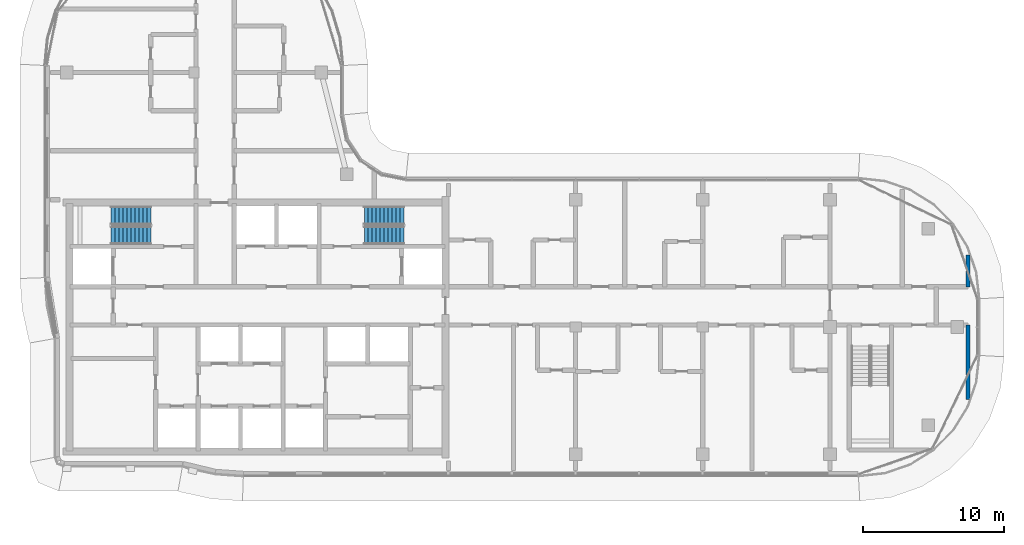
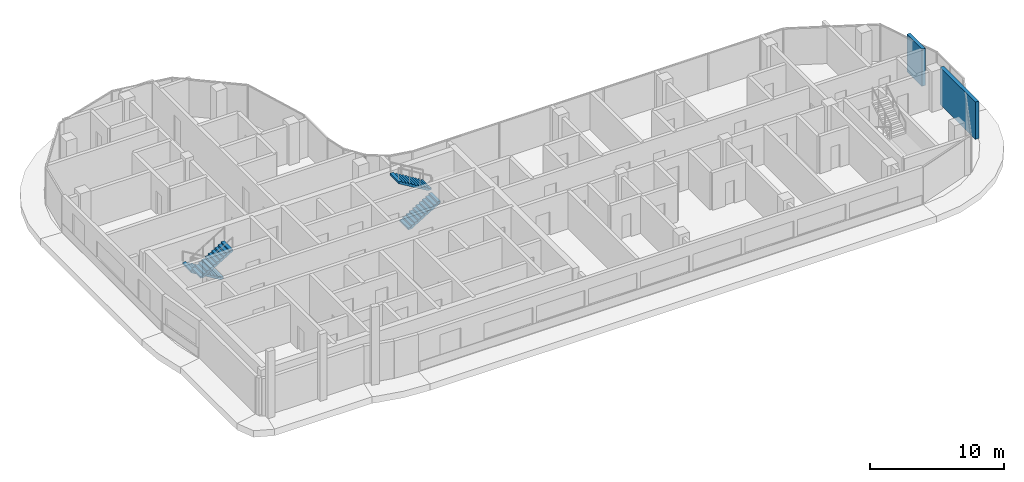
# One storey, part 14 of 21: 4 stair flights, 2 walls, 2 elements without a shape of their own.
"""IFC4 building model written with IfcOpenShell, lengths in metres."""

import ifcopenshell
import ifcopenshell.guid

model = None  # the IFC model being written
_history = None  # IfcOwnerHistory: only IFC2X3 demands one
_inside = {}  # id of a spatial element -> (the spatial element, [elements in it])
_under = {}  # id of a project, library or spatial element -> (it, [spatial elements below it])
_declared = {}  # id of a project -> (the project, [libraries it declares])
_typed = {}  # id of a type object -> (the type object, [elements of that type])
_made_of = {}  # id of a material, layer set ... -> (it, [elements and type objects made of it])


def new_model(schema):
    """Start an empty IFC model of exactly this schema.

    Asked for "IFC4X3", IfcOpenShell would pick the latest addendum, in which some entities
    have other attributes; the version numbers below select the first issue.
    IFC2X3 requires an IfcOwnerHistory on every rooted entity: one is made here for all.
    """
    global model, _history
    if schema == "IFC4X3":
        model = ifcopenshell.file(schema_version=(4, 3, 0, 0))
    else:
        model = ifcopenshell.file(schema=schema)
    _inside.clear()
    _under.clear()
    _declared.clear()
    _typed.clear()
    _made_of.clear()
    _history = None
    if model.schema == "IFC2X3":
        org = make("IfcOrganization", Name="unknown")
        user = make(
            "IfcPersonAndOrganization",
            ThePerson=make("IfcPerson", FamilyName="unknown"),
            TheOrganization=org,
        )
        app = make(
            "IfcApplication",
            ApplicationDeveloper=org,
            Version="unknown",
            ApplicationFullName="unknown",
            ApplicationIdentifier="unknown",
        )
        _history = make(
            "IfcOwnerHistory",
            OwningUser=user,
            OwningApplication=app,
            ChangeAction="ADDED",
            CreationDate=0,
        )
    return model


def make(cls, **values):
    """One entity of the class cls with the attributes given. An attribute that is None is left unset."""
    return model.create_entity(
        cls, **{name: value for name, value in values.items() if value is not None}
    )


def rooted(cls, **values):
    """An entity with a GlobalId (a new one), such as an element, a storey or a relation."""
    return make(cls, GlobalId=ifcopenshell.guid.new(), OwnerHistory=_history, **values)


def si_unit(unit_type, name, prefix=None):
    """IfcSIUnit, for example si_unit("LENGTHUNIT", "METRE", prefix="MILLI")."""
    return make("IfcSIUnit", UnitType=unit_type, Prefix=prefix, Name=name)


def assignment(units):
    """IfcUnitAssignment: the units of a project."""
    return None if units is None else make("IfcUnitAssignment", Units=units)


def point(xyz):
    """IfcCartesianPoint."""
    return None if xyz is None else make("IfcCartesianPoint", Coordinates=xyz)


def direction(xyz):
    """IfcDirection."""
    return None if xyz is None else make("IfcDirection", DirectionRatios=xyz)


def frame(location, z_axis=None, x_axis=None):
    """IfcAxis2Placement3D, a coordinate frame: its origin and axes. An axis left out is left unset."""
    return make(
        "IfcAxis2Placement3D",
        Location=point(location),
        Axis=direction(z_axis),
        RefDirection=direction(x_axis),
    )


def frame_2d(location, x_axis=None):
    """IfcAxis2Placement2D, a coordinate frame in the plane: its origin and x axis."""
    return make(
        "IfcAxis2Placement2D", Location=point(location), RefDirection=direction(x_axis)
    )


def origin():
    """The frame at (0, 0, 0) with its axes left unset."""
    return frame((0.0, 0.0, 0.0))


def place(relative_to, where):
    """IfcLocalPlacement: puts the frame where relative to a parent placement (None: the world)."""
    return make(
        "IfcLocalPlacement", PlacementRelTo=relative_to, RelativePlacement=where
    )


def context(
    kind, dimensions, precision=None, world=None, true_north=None, identifier=None
):
    """IfcGeometricRepresentationContext, for example the 3D "Model" context."""
    return make(
        "IfcGeometricRepresentationContext",
        ContextIdentifier=identifier,
        ContextType=kind,
        CoordinateSpaceDimension=dimensions,
        Precision=precision,
        WorldCoordinateSystem=world,
        TrueNorth=true_north,
    )


def subcontext(parent, identifier, kind, view, scale=None):
    """IfcGeometricRepresentationSubContext, for example "Body" below "Model"."""
    return make(
        "IfcGeometricRepresentationSubContext",
        ContextIdentifier=identifier,
        ContextType=kind,
        ParentContext=parent,
        TargetScale=scale,
        TargetView=view,
    )


def project(units=None, contexts=None):
    """IfcProject with its units and contexts."""
    return rooted(
        "IfcProject",
        Name="project",
        RepresentationContexts=contexts,
        UnitsInContext=assignment(units),
    )


def spatial(cls, under=None, at=None, **own):
    """A site, building, storey or space (cls), placed at a placement, below another one or the project."""
    s = rooted(cls, ObjectPlacement=at, **own)
    if under is not None:
        _under.setdefault(under.id(), (under, []))[1].append(s)
    return s


def point_list(points):
    """IfcCartesianPointList2D or 3D."""
    cls = (
        "IfcCartesianPointList2D" if len(points[0]) == 2 else "IfcCartesianPointList3D"
    )
    return make(cls, CoordList=points)


def profile(cls, at=None, kind="AREA", **sizes):
    """A parametric profile (cls). Its sizes go by their IFC names, for example OverallWidth=200.0."""
    return make(cls, ProfileType=kind, Position=at, **sizes)


def rectangle(**sizes):
    """IfcRectangleProfileDef."""
    return profile("IfcRectangleProfileDef", **sizes)


def extrude(swept, where, along, depth):
    """IfcExtrudedAreaSolid: the profile swept, set in the frame where, extruded along a direction by depth."""
    return make(
        "IfcExtrudedAreaSolid",
        SweptArea=swept,
        Position=where,
        ExtrudedDirection=direction(along),
        Depth=depth,
    )


def triangles(points, corners, closed=None, point_numbers=None):
    """IfcTriangulatedFaceSet: each triangle names its three corners, points numbered from 1."""
    return make(
        "IfcTriangulatedFaceSet",
        Coordinates=point_list(points),
        Closed=closed,
        CoordIndex=corners,
        PnIndex=point_numbers,
    )


def shape(context_of_items, identifier, shape_type, items):
    """IfcShapeRepresentation: the items that make up one representation, for example the "Body"."""
    return make(
        "IfcShapeRepresentation",
        ContextOfItems=context_of_items,
        RepresentationIdentifier=identifier,
        RepresentationType=shape_type,
        Items=items,
    )


def source(mapping_origin, context_of_items, identifier, shape_type, items):
    """IfcRepresentationMap: a shape defined once, which mapped items show again and again."""
    return make(
        "IfcRepresentationMap",
        MappingOrigin=mapping_origin,
        MappedRepresentation=shape(context_of_items, identifier, shape_type, items),
    )


def transform(
    local_origin,
    x_axis=None,
    y_axis=None,
    z_axis=None,
    scale=None,
    scale2=None,
    scale3=None,
    uniform=True,
):
    """IfcCartesianTransformationOperator3D, or its non-uniform kind. x_axis, y_axis, z_axis: its Axis1, 2, 3."""
    if uniform:
        return make(
            "IfcCartesianTransformationOperator3D",
            Axis1=direction(x_axis),
            Axis2=direction(y_axis),
            LocalOrigin=point(local_origin),
            Scale=scale,
            Axis3=direction(z_axis),
        )
    return make(
        "IfcCartesianTransformationOperator3DnonUniform",
        Axis1=direction(x_axis),
        Axis2=direction(y_axis),
        LocalOrigin=point(local_origin),
        Scale=scale,
        Axis3=direction(z_axis),
        Scale2=scale2,
        Scale3=scale3,
    )


def mapped(mapping_source, mapping_target):
    """IfcMappedItem: shows the shape of a source again, moved by a transform."""
    return make(
        "IfcMappedItem", MappingSource=mapping_source, MappingTarget=mapping_target
    )


def material(Name=None, Category=None):
    """IfcMaterial."""
    return make("IfcMaterial", Name=Name, Category=Category)


def layer(
    of_material, thickness, ventilated=None, Name=None, Category=None, Priority=None
):
    """IfcMaterialLayer: one layer of a wall or slab, of a material (None: an air gap)."""
    return make(
        "IfcMaterialLayer",
        Material=of_material,
        LayerThickness=thickness,
        IsVentilated=ventilated,
        Name=Name,
        Category=Category,
        Priority=Priority,
    )


def layer_set(layers, Name=None):
    """IfcMaterialLayerSet."""
    return make("IfcMaterialLayerSet", MaterialLayers=layers, LayerSetName=Name)


def made_of(thing, what):
    """Note that an element or type object is made of a material, layer set ...; save() writes the relation."""
    if what is not None:
        _made_of.setdefault(what.id(), (what, []))[1].append(thing)
    return thing


def type_object(cls, material=None, **own):
    """A type object (cls), such as IfcWallType, which elements share."""
    return made_of(rooted(cls, **own), material)


def element(
    cls,
    number,
    at=None,
    inside=None,
    cuts=None,
    type_object=None,
    material=None,
    context=None,
    identifier="Body",
    shape_type=None,
    held_by="IfcProductDefinitionShape",
    body=None,
    shapes=None,
    **own,
):
    """One element of the class cls, such as IfcWall. Its Tag is "e" and its number.

    at: its placement. inside: the storey or other place that contains it. cuts: it is an
    opening in that element (IfcRelVoidsElement). A single representation is given by context,
    identifier, shape_type and body (its items); several are given by shapes. held_by: the class
    of the entity that holds the representations. save() writes the other relations.
    """
    e = rooted(cls, Tag="e%d" % number, ObjectPlacement=at, **own)
    if body is not None:
        shapes = [shape(context, identifier, shape_type, body)]
    if shapes is not None:
        e.Representation = make(held_by, Representations=shapes)
    if inside is not None:
        _inside.setdefault(inside.id(), (inside, []))[1].append(e)
    if cuts is not None:
        rooted(
            "IfcRelVoidsElement", RelatingBuildingElement=cuts, RelatedOpeningElement=e
        )
    if type_object is not None:
        _typed.setdefault(type_object.id(), (type_object, []))[1].append(e)
    return made_of(e, material)


def aggregate(whole, parts):
    """IfcRelAggregates: a whole, such as a stair, and the parts it consists of."""
    return rooted("IfcRelAggregates", RelatingObject=whole, RelatedObjects=parts)


def save(model, path):
    """Write the relations noted so far, then the file.

    IfcRelAggregates (storeys below a building ...), IfcRelContainedInSpatialStructure (elements
    in a storey), IfcRelDefinesByType, IfcRelAssociatesMaterial and IfcRelDeclares: one each for
    every whole, place, type object, material and project.
    """
    for whole, parts in _under.values():
        aggregate(whole, parts)
    for where, things in _inside.values():
        rooted(
            "IfcRelContainedInSpatialStructure",
            RelatedElements=things,
            RelatingStructure=where,
        )
    for kind, things in _typed.values():
        rooted("IfcRelDefinesByType", RelatedObjects=things, RelatingType=kind)
    for what, things in _made_of.values():
        rooted("IfcRelAssociatesMaterial", RelatedObjects=things, RelatingMaterial=what)
    for by, libraries in _declared.values():
        rooted("IfcRelDeclares", RelatingContext=by, RelatedDefinitions=libraries)
    model.write(path)


model = new_model("IFC4")

# Units and contexts
model_context = context("Model", 3, precision=1e-05, world=origin(), true_north=direction((0.0, 1.0)))
body_context = subcontext(model_context, "Body", "Model", "MODEL_VIEW")
ifc_project = project(units=[si_unit("LENGTHUNIT", "METRE"), si_unit("AREAUNIT", "SQUARE_METRE"), si_unit("VOLUMEUNIT", "CUBIC_METRE"), si_unit("PLANEANGLEUNIT", "RADIAN"), si_unit("MASSUNIT", "GRAM", prefix="KILO")], contexts=[model_context])

# Site, building, storey
site_placement = place(None, origin())
site = spatial("IfcSite", under=ifc_project, at=site_placement, CompositionType="ELEMENT")
building_placement = place(site_placement, origin())
building = spatial("IfcBuilding", under=site, at=building_placement, Name="Ogive Portal Towers", CompositionType="ELEMENT")
storey_placement = place(building_placement, frame((0.0, 0.0, 225.39990234375)))
storey = spatial("IfcBuildingStorey", under=building, at=storey_placement, Name="L56", CompositionType="ELEMENT", Elevation=225.39990234375)

# Walls
ifc_material_1 = material(Name="Gypsum board partition on steel studs", Category="steel")
ifc_layer = layer(ifc_material_1, 0.300048828125)
ifc_layer_set = layer_set([ifc_layer], Name="WT-PART-300-EI 60")
wall_type = type_object("IfcWallType", Name="WT-PART-300-EI 60", PredefinedType="PARTITIONING", material=ifc_layer_set)
wall_1_placement = place(storey_placement, frame((95.25, 25.386962890625, 0.0), z_axis=(0.0, 0.0, 1.0), x_axis=(0.0, 1.0, 0.0)))
element("IfcWall", 1, at=wall_1_placement, inside=storey, type_object=wall_type, Name="Wall L56:w056", PredefinedType="PARTITIONING", context=body_context, shape_type="SweptSolid", body=[
    extrude(rectangle(XDim=5.262939453125, YDim=0.300048828125, at=frame_2d((2.63134765625, 0.0))), origin(), (0.0, 0.0, 1.0), 3.400146484375),
])
wall_2_placement = place(storey_placement, frame((95.25, 33.35009765625, 0.0), z_axis=(0.0, 0.0, 1.0), x_axis=(0.0, 1.0, 0.0)))
element("IfcWall", 2, at=wall_2_placement, inside=storey, type_object=wall_type, Name="Wall L56:w057", PredefinedType="PARTITIONING", context=body_context, shape_type="SweptSolid", body=[
    extrude(rectangle(XDim=2.262939453125, YDim=0.300048828125, at=frame_2d((1.13134765625, 0.0))), origin(), (0.0, 0.0, 1.0), 3.400146484375),
])

# Stair, stair flights
ifc_material_2 = material(Name="Concrete C40/50", Category="concrete")
stair_type = type_object("IfcStairType", Name="INT-STAIR", PredefinedType="HALF_TURN_STAIR", material=ifc_material_2)
stair_1_placement = place(storey_placement, origin())
stair_1 = element("IfcStair", 3, at=stair_1_placement, inside=storey, type_object=stair_type, Name="L56 Exit Stair ST-A1", PredefinedType="HALF_TURN_STAIR")
stair_flight_type = type_object("IfcStairFlightType", Name="INT-FLIGHT", PredefinedType="STRAIGHT", material=ifc_material_2)
shared_shape = source(origin(), body_context, "Body", "Tessellation", [
    triangles([(0.0, -0.650146484375, 0.0), (0.0, -0.376220703125, 0.0), (0.0, -0.192626953125, 0.0), (0.0, -0.081298828125, 0.0), (0.0, -0.024169921875, 0.0), (0.0, -0.003173828125, 0.0), (0.0, 0.0, 0.0), (0.0, 0.0029296875, 0.0), (0.0, 0.02392578125, 0.0), (0.0, 0.0810546875, 0.0), (0.0, 0.1923828125, 0.0), (0.0, 0.3759765625, 0.0), (0.0, 0.64990234375, 0.0), (0.0, -0.650146484375, 0.168212890625), (0.0, -0.376220703125, 0.168212890625), (0.0, -0.192626953125, 0.168212890625), (0.0, -0.081298828125, 0.168212890625), (0.0, -0.024169921875, 0.168212890625), (0.0, -0.003173828125, 0.168212890625), (0.0, 0.0, 0.168212890625), (0.0, 0.0029296875, 0.168212890625), (0.0, 0.02392578125, 0.168212890625), (0.0, 0.0810546875, 0.168212890625), (0.0, 0.1923828125, 0.168212890625), (0.0, 0.3759765625, 0.168212890625), (0.0, 0.64990234375, 0.168212890625), (0.280029296875, -0.650146484375, 0.168212890625), (0.280029296875, -0.376220703125, 0.168212890625), (0.280029296875, -0.192626953125, 0.168212890625), (0.280029296875, -0.081298828125, 0.168212890625), (0.280029296875, -0.024169921875, 0.168212890625), (0.280029296875, -0.003173828125, 0.168212890625), (0.280029296875, 0.0, 0.168212890625), (0.280029296875, 0.0029296875, 0.168212890625), (0.280029296875, 0.02392578125, 0.168212890625), (0.280029296875, 0.0810546875, 0.168212890625), (0.280029296875, 0.1923828125, 0.168212890625), (0.280029296875, 0.3759765625, 0.168212890625), (0.280029296875, 0.64990234375, 0.168212890625), (0.280029296875, -0.650146484375, 0.33642578125), (0.280029296875, -0.376220703125, 0.33642578125), (0.280029296875, -0.192626953125, 0.33642578125), (0.280029296875, -0.081298828125, 0.33642578125), (0.280029296875, -0.024169921875, 0.33642578125), (0.280029296875, -0.003173828125, 0.33642578125), (0.280029296875, 0.0, 0.33642578125), (0.280029296875, 0.0029296875, 0.33642578125), (0.280029296875, 0.02392578125, 0.33642578125), (0.280029296875, 0.0810546875, 0.33642578125), (0.280029296875, 0.1923828125, 0.33642578125), (0.280029296875, 0.3759765625, 0.33642578125), (0.280029296875, 0.64990234375, 0.33642578125), (0.56005859375, -0.650146484375, 0.33642578125), (0.56005859375, -0.376220703125, 0.33642578125), (0.56005859375, -0.192626953125, 0.33642578125), (0.56005859375, -0.081298828125, 0.33642578125), (0.56005859375, -0.024169921875, 0.33642578125), (0.56005859375, -0.003173828125, 0.33642578125), (0.56005859375, 0.0, 0.33642578125), (0.56005859375, 0.0029296875, 0.33642578125), (0.56005859375, 0.02392578125, 0.33642578125), (0.56005859375, 0.0810546875, 0.33642578125), (0.56005859375, 0.1923828125, 0.33642578125), (0.56005859375, 0.3759765625, 0.33642578125), (0.56005859375, 0.64990234375, 0.33642578125), (0.56005859375, -0.650146484375, 0.504638671875), (0.56005859375, -0.376220703125, 0.504638671875), (0.56005859375, -0.192626953125, 0.504638671875), (0.56005859375, -0.081298828125, 0.504638671875), (0.56005859375, -0.024169921875, 0.504638671875), (0.56005859375, -0.003173828125, 0.504638671875), (0.56005859375, 0.0, 0.504638671875), (0.56005859375, 0.0029296875, 0.504638671875), (0.56005859375, 0.02392578125, 0.504638671875), (0.56005859375, 0.0810546875, 0.504638671875), (0.56005859375, 0.1923828125, 0.504638671875), (0.56005859375, 0.3759765625, 0.504638671875), (0.56005859375, 0.64990234375, 0.504638671875), (0.840087890625, -0.650146484375, 0.504638671875), (0.840087890625, -0.376220703125, 0.504638671875), (0.840087890625, -0.192626953125, 0.504638671875), (0.840087890625, -0.081298828125, 0.504638671875), (0.840087890625, -0.024169921875, 0.504638671875), (0.840087890625, -0.003173828125, 0.504638671875), (0.840087890625, 0.0, 0.504638671875), (0.840087890625, 0.0029296875, 0.504638671875), (0.840087890625, 0.02392578125, 0.504638671875), (0.840087890625, 0.0810546875, 0.504638671875), (0.840087890625, 0.1923828125, 0.504638671875), (0.840087890625, 0.3759765625, 0.504638671875), (0.840087890625, 0.64990234375, 0.504638671875), (0.840087890625, -0.650146484375, 0.672607421875), (0.840087890625, -0.376220703125, 0.672607421875), (0.840087890625, -0.192626953125, 0.672607421875), (0.840087890625, -0.081298828125, 0.672607421875), (0.840087890625, -0.024169921875, 0.672607421875), (0.840087890625, -0.003173828125, 0.672607421875), (0.840087890625, 0.0, 0.672607421875), (0.840087890625, 0.0029296875, 0.672607421875), (0.840087890625, 0.02392578125, 0.672607421875), (0.840087890625, 0.0810546875, 0.672607421875), (0.840087890625, 0.1923828125, 0.672607421875), (0.840087890625, 0.3759765625, 0.672607421875), (0.840087890625, 0.64990234375, 0.672607421875), (1.1201171875, -0.650146484375, 0.672607421875), (1.1201171875, -0.376220703125, 0.672607421875), (1.1201171875, -0.192626953125, 0.672607421875), (1.1201171875, -0.081298828125, 0.672607421875), (1.1201171875, -0.024169921875, 0.672607421875), (1.1201171875, -0.003173828125, 0.672607421875), (1.1201171875, 0.0, 0.672607421875), (1.1201171875, 0.0029296875, 0.672607421875), (1.1201171875, 0.02392578125, 0.672607421875), (1.1201171875, 0.0810546875, 0.672607421875), (1.1201171875, 0.1923828125, 0.672607421875), (1.1201171875, 0.3759765625, 0.672607421875), (1.1201171875, 0.64990234375, 0.672607421875), (1.1201171875, -0.650146484375, 0.8408203125), (1.1201171875, -0.376220703125, 0.8408203125), (1.1201171875, -0.192626953125, 0.8408203125), (1.1201171875, -0.081298828125, 0.8408203125), (1.1201171875, -0.024169921875, 0.8408203125), (1.1201171875, -0.003173828125, 0.8408203125), (1.1201171875, 0.0, 0.8408203125), (1.1201171875, 0.0029296875, 0.8408203125), (1.1201171875, 0.02392578125, 0.8408203125), (1.1201171875, 0.0810546875, 0.8408203125), (1.1201171875, 0.1923828125, 0.8408203125), (1.1201171875, 0.3759765625, 0.8408203125), (1.1201171875, 0.64990234375, 0.8408203125), (1.39990234375, -0.650146484375, 0.8408203125), (1.39990234375, -0.376220703125, 0.8408203125), (1.39990234375, -0.192626953125, 0.8408203125), (1.39990234375, -0.081298828125, 0.8408203125), (1.39990234375, -0.024169921875, 0.8408203125), (1.39990234375, -0.003173828125, 0.8408203125), (1.39990234375, 0.0, 0.8408203125), (1.39990234375, 0.0029296875, 0.8408203125), (1.39990234375, 0.02392578125, 0.8408203125), (1.39990234375, 0.0810546875, 0.8408203125), (1.39990234375, 0.1923828125, 0.8408203125), (1.39990234375, 0.3759765625, 0.8408203125), (1.39990234375, 0.64990234375, 0.8408203125), (1.39990234375, -0.650146484375, 1.009033203125), (1.39990234375, -0.376220703125, 1.009033203125), (1.39990234375, -0.192626953125, 1.009033203125), (1.39990234375, -0.081298828125, 1.009033203125), (1.39990234375, -0.024169921875, 1.009033203125), (1.39990234375, -0.003173828125, 1.009033203125), (1.39990234375, 0.0, 1.009033203125), (1.39990234375, 0.0029296875, 1.009033203125), (1.39990234375, 0.02392578125, 1.009033203125), (1.39990234375, 0.0810546875, 1.009033203125), (1.39990234375, 0.1923828125, 1.009033203125), (1.39990234375, 0.3759765625, 1.009033203125), (1.39990234375, 0.64990234375, 1.009033203125), (1.679931640625, -0.650146484375, 1.009033203125), (1.679931640625, -0.376220703125, 1.009033203125), (1.679931640625, -0.192626953125, 1.009033203125), (1.679931640625, -0.081298828125, 1.009033203125), (1.679931640625, -0.024169921875, 1.009033203125), (1.679931640625, -0.003173828125, 1.009033203125), (1.679931640625, 0.0, 1.009033203125), (1.679931640625, 0.0029296875, 1.009033203125), (1.679931640625, 0.02392578125, 1.009033203125), (1.679931640625, 0.0810546875, 1.009033203125), (1.679931640625, 0.1923828125, 1.009033203125), (1.679931640625, 0.3759765625, 1.009033203125), (1.679931640625, 0.64990234375, 1.009033203125), (1.679931640625, -0.650146484375, 1.17724609375), (1.679931640625, -0.376220703125, 1.17724609375), (1.679931640625, -0.192626953125, 1.17724609375), (1.679931640625, -0.081298828125, 1.17724609375), (1.679931640625, -0.024169921875, 1.17724609375), (1.679931640625, -0.003173828125, 1.17724609375), (1.679931640625, 0.0, 1.17724609375), (1.679931640625, 0.0029296875, 1.17724609375), (1.679931640625, 0.02392578125, 1.17724609375), (1.679931640625, 0.0810546875, 1.17724609375), (1.679931640625, 0.1923828125, 1.17724609375), (1.679931640625, 0.3759765625, 1.17724609375), (1.679931640625, 0.64990234375, 1.17724609375), (1.9599609375, -0.650146484375, 1.17724609375), (1.9599609375, -0.376220703125, 1.17724609375), (1.9599609375, -0.192626953125, 1.17724609375), (1.9599609375, -0.081298828125, 1.17724609375), (1.9599609375, -0.024169921875, 1.17724609375), (1.9599609375, -0.003173828125, 1.17724609375), (1.9599609375, 0.0, 1.17724609375), (1.9599609375, 0.0029296875, 1.17724609375), (1.9599609375, 0.02392578125, 1.17724609375), (1.9599609375, 0.0810546875, 1.17724609375), (1.9599609375, 0.1923828125, 1.17724609375), (1.9599609375, 0.3759765625, 1.17724609375), (1.9599609375, 0.64990234375, 1.17724609375), (1.9599609375, -0.650146484375, 1.345458984375), (1.9599609375, -0.376220703125, 1.345458984375), (1.9599609375, -0.192626953125, 1.345458984375), (1.9599609375, -0.081298828125, 1.345458984375), (1.9599609375, -0.024169921875, 1.345458984375), (1.9599609375, -0.003173828125, 1.345458984375), (1.9599609375, 0.0, 1.345458984375), (1.9599609375, 0.0029296875, 1.345458984375), (1.9599609375, 0.02392578125, 1.345458984375), (1.9599609375, 0.0810546875, 1.345458984375), (1.9599609375, 0.1923828125, 1.345458984375), (1.9599609375, 0.3759765625, 1.345458984375), (1.9599609375, 0.64990234375, 1.345458984375), (2.239990234375, -0.650146484375, 1.345458984375), (2.239990234375, -0.376220703125, 1.345458984375), (2.239990234375, -0.192626953125, 1.345458984375), (2.239990234375, -0.081298828125, 1.345458984375), (2.239990234375, -0.024169921875, 1.345458984375), (2.239990234375, -0.003173828125, 1.345458984375), (2.239990234375, 0.0, 1.345458984375), (2.239990234375, 0.0029296875, 1.345458984375), (2.239990234375, 0.02392578125, 1.345458984375), (2.239990234375, 0.0810546875, 1.345458984375), (2.239990234375, 0.1923828125, 1.345458984375), (2.239990234375, 0.3759765625, 1.345458984375), (2.239990234375, 0.64990234375, 1.345458984375), (2.239990234375, -0.650146484375, 1.513671875), (2.239990234375, -0.376220703125, 1.513671875), (2.239990234375, -0.192626953125, 1.513671875), (2.239990234375, -0.081298828125, 1.513671875), (2.239990234375, -0.024169921875, 1.513671875), (2.239990234375, -0.003173828125, 1.513671875), (2.239990234375, 0.0, 1.513671875), (2.239990234375, 0.0029296875, 1.513671875), (2.239990234375, 0.02392578125, 1.513671875), (2.239990234375, 0.0810546875, 1.513671875), (2.239990234375, 0.1923828125, 1.513671875), (2.239990234375, 0.3759765625, 1.513671875), (2.239990234375, 0.64990234375, 1.513671875), (2.52001953125, -0.650146484375, 1.513671875), (2.52001953125, -0.376220703125, 1.513671875), (2.52001953125, -0.192626953125, 1.513671875), (2.52001953125, -0.081298828125, 1.513671875), (2.52001953125, -0.024169921875, 1.513671875), (2.52001953125, -0.003173828125, 1.513671875), (2.52001953125, 0.0, 1.513671875), (2.52001953125, 0.0029296875, 1.513671875), (2.52001953125, 0.02392578125, 1.513671875), (2.52001953125, 0.0810546875, 1.513671875), (2.52001953125, 0.1923828125, 1.513671875), (2.52001953125, 0.3759765625, 1.513671875), (2.52001953125, 0.64990234375, 1.513671875), (2.52001953125, -0.650146484375, 1.681884765625), (2.52001953125, -0.376220703125, 1.681884765625), (2.52001953125, -0.192626953125, 1.681884765625), (2.52001953125, -0.081298828125, 1.681884765625), (2.52001953125, -0.024169921875, 1.681884765625), (2.52001953125, -0.003173828125, 1.681884765625), (2.52001953125, 0.0, 1.681884765625), (2.52001953125, 0.0029296875, 1.681884765625), (2.52001953125, 0.02392578125, 1.681884765625), (2.52001953125, 0.0810546875, 1.681884765625), (2.52001953125, 0.1923828125, 1.681884765625), (2.52001953125, 0.3759765625, 1.681884765625), (2.52001953125, 0.64990234375, 1.681884765625), (2.800048828125, -0.650146484375, 1.681884765625), (2.800048828125, -0.376220703125, 1.681884765625), (2.800048828125, -0.192626953125, 1.681884765625), (2.800048828125, -0.081298828125, 1.681884765625), (2.800048828125, -0.024169921875, 1.681884765625), (2.800048828125, -0.003173828125, 1.681884765625), (2.800048828125, 0.0, 1.681884765625), (2.800048828125, 0.0029296875, 1.681884765625), (2.800048828125, 0.02392578125, 1.681884765625), (2.800048828125, 0.0810546875, 1.681884765625), (2.800048828125, 0.1923828125, 1.681884765625), (2.800048828125, 0.3759765625, 1.681884765625), (2.800048828125, 0.64990234375, 1.681884765625), (2.800048828125, -0.650146484375, 1.5068359375), (2.800048828125, -0.376220703125, 1.5068359375), (2.800048828125, -0.192626953125, 1.5068359375), (2.800048828125, -0.081298828125, 1.5068359375), (2.800048828125, -0.024169921875, 1.5068359375), (2.800048828125, -0.003173828125, 1.5068359375), (2.800048828125, 0.0, 1.5068359375), (2.800048828125, 0.0029296875, 1.5068359375), (2.800048828125, 0.02392578125, 1.5068359375), (2.800048828125, 0.0810546875, 1.5068359375), (2.800048828125, 0.1923828125, 1.5068359375), (2.800048828125, 0.3759765625, 1.5068359375), (2.800048828125, 0.64990234375, 1.5068359375), (0.291015625, -0.650146484375, 0.0), (0.291015625, -0.376220703125, 0.0), (0.291015625, -0.192626953125, 0.0), (0.291015625, -0.081298828125, 0.0), (0.291015625, -0.024169921875, 0.0), (0.291015625, -0.003173828125, 0.0), (0.291015625, 0.0, 0.0), (0.291015625, 0.0029296875, 0.0), (0.291015625, 0.02392578125, 0.0), (0.291015625, 0.0810546875, 0.0), (0.291015625, 0.1923828125, 0.0), (0.291015625, 0.3759765625, 0.0), (0.291015625, 0.64990234375, 0.0)], [[1, 14, 15], [1, 15, 2], [2, 15, 16], [2, 16, 3], [3, 16, 17], [3, 17, 4], [4, 17, 18], [4, 18, 5], [5, 18, 19], [5, 19, 6], [6, 19, 20], [6, 20, 7], [7, 20, 21], [7, 21, 8], [8, 21, 22], [8, 22, 9], [9, 22, 23], [9, 23, 10], [10, 23, 24], [10, 24, 11], [11, 24, 25], [11, 25, 12], [12, 25, 26], [12, 26, 13], [14, 27, 28], [14, 28, 15], [15, 28, 29], [15, 29, 16], [16, 29, 30], [16, 30, 17], [17, 30, 31], [17, 31, 18], [18, 31, 32], [18, 32, 19], [19, 32, 33], [19, 33, 20], [20, 33, 34], [20, 34, 21], [21, 34, 35], [21, 35, 22], [22, 35, 36], [22, 36, 23], [23, 36, 37], [23, 37, 24], [24, 37, 38], [24, 38, 25], [25, 38, 39], [25, 39, 26], [27, 40, 41], [27, 41, 28], [28, 41, 42], [28, 42, 29], [29, 42, 43], [29, 43, 30], [30, 43, 44], [30, 44, 31], [31, 44, 45], [31, 45, 32], [32, 45, 46], [32, 46, 33], [33, 46, 47], [33, 47, 34], [34, 47, 48], [34, 48, 35], [35, 48, 49], [35, 49, 36], [36, 49, 50], [36, 50, 37], [37, 50, 51], [37, 51, 38], [38, 51, 52], [38, 52, 39], [40, 53, 54], [40, 54, 41], [41, 54, 55], [41, 55, 42], [42, 55, 56], [42, 56, 43], [43, 56, 57], [43, 57, 44], [44, 57, 58], [44, 58, 45], [45, 58, 59], [45, 59, 46], [46, 59, 60], [46, 60, 47], [47, 60, 61], [47, 61, 48], [48, 61, 62], [48, 62, 49], [49, 62, 63], [49, 63, 50], [50, 63, 64], [50, 64, 51], [51, 64, 65], [51, 65, 52], [53, 66, 67], [53, 67, 54], [54, 67, 68], [54, 68, 55], [55, 68, 69], [55, 69, 56], [56, 69, 70], [56, 70, 57], [57, 70, 71], [57, 71, 58], [58, 71, 72], [58, 72, 59], [59, 72, 73], [59, 73, 60], [60, 73, 74], [60, 74, 61], [61, 74, 75], [61, 75, 62], [62, 75, 76], [62, 76, 63], [63, 76, 77], [63, 77, 64], [64, 77, 78], [64, 78, 65], [66, 79, 80], [66, 80, 67], [67, 80, 81], [67, 81, 68], [68, 81, 82], [68, 82, 69], [69, 82, 83], [69, 83, 70], [70, 83, 84], [70, 84, 71], [71, 84, 85], [71, 85, 72], [72, 85, 86], [72, 86, 73], [73, 86, 87], [73, 87, 74], [74, 87, 88], [74, 88, 75], [75, 88, 89], [75, 89, 76], [76, 89, 90], [76, 90, 77], [77, 90, 91], [77, 91, 78], [79, 92, 93], [79, 93, 80], [80, 93, 94], [80, 94, 81], [81, 94, 95], [81, 95, 82], [82, 95, 96], [82, 96, 83], [83, 96, 97], [83, 97, 84], [84, 97, 98], [84, 98, 85], [85, 98, 99], [85, 99, 86], [86, 99, 100], [86, 100, 87], [87, 100, 101], [87, 101, 88], [88, 101, 102], [88, 102, 89], [89, 102, 103], [89, 103, 90], [90, 103, 104], [90, 104, 91], [92, 105, 106], [92, 106, 93], [93, 106, 107], [93, 107, 94], [94, 107, 108], [94, 108, 95], [95, 108, 109], [95, 109, 96], [96, 109, 110], [96, 110, 97], [97, 110, 111], [97, 111, 98], [98, 111, 112], [98, 112, 99], [99, 112, 113], [99, 113, 100], [100, 113, 114], [100, 114, 101], [101, 114, 115], [101, 115, 102], [102, 115, 116], [102, 116, 103], [103, 116, 117], [103, 117, 104], [105, 118, 119], [105, 119, 106], [106, 119, 120], [106, 120, 107], [107, 120, 121], [107, 121, 108], [108, 121, 122], [108, 122, 109], [109, 122, 123], [109, 123, 110], [110, 123, 124], [110, 124, 111], [111, 124, 125], [111, 125, 112], [112, 125, 126], [112, 126, 113], [113, 126, 127], [113, 127, 114], [114, 127, 128], [114, 128, 115], [115, 128, 129], [115, 129, 116], [116, 129, 130], [116, 130, 117], [118, 131, 132], [118, 132, 119], [119, 132, 133], [119, 133, 120], [120, 133, 134], [120, 134, 121], [121, 134, 135], [121, 135, 122], [122, 135, 136], [122, 136, 123], [123, 136, 137], [123, 137, 124], [124, 137, 138], [124, 138, 125], [125, 138, 139], [125, 139, 126], [126, 139, 140], [126, 140, 127], [127, 140, 141], [127, 141, 128], [128, 141, 142], [128, 142, 129], [129, 142, 143], [129, 143, 130], [131, 144, 145], [131, 145, 132], [132, 145, 146], [132, 146, 133], [133, 146, 147], [133, 147, 134], [134, 147, 148], [134, 148, 135], [135, 148, 149], [135, 149, 136], [136, 149, 150], [136, 150, 137], [137, 150, 151], [137, 151, 138], [138, 151, 152], [138, 152, 139], [139, 152, 153], [139, 153, 140], [140, 153, 154], [140, 154, 141], [141, 154, 155], [141, 155, 142], [142, 155, 156], [142, 156, 143], [144, 157, 158], [144, 158, 145], [145, 158, 159], [145, 159, 146], [146, 159, 160], [146, 160, 147], [147, 160, 161], [147, 161, 148], [148, 161, 162], [148, 162, 149], [149, 162, 163], [149, 163, 150], [150, 163, 164], [150, 164, 151], [151, 164, 165], [151, 165, 152], [152, 165, 166], [152, 166, 153], [153, 166, 167], [153, 167, 154], [154, 167, 168], [154, 168, 155], [155, 168, 169], [155, 169, 156], [157, 170, 171], [157, 171, 158], [158, 171, 172], [158, 172, 159], [159, 172, 173], [159, 173, 160], [160, 173, 174], [160, 174, 161], [161, 174, 175], [161, 175, 162], [162, 175, 176], [162, 176, 163], [163, 176, 177], [163, 177, 164], [164, 177, 178], [164, 178, 165], [165, 178, 179], [165, 179, 166], [166, 179, 180], [166, 180, 167], [167, 180, 181], [167, 181, 168], [168, 181, 182], [168, 182, 169], [170, 183, 184], [170, 184, 171], [171, 184, 185], [171, 185, 172], [172, 185, 186], [172, 186, 173], [173, 186, 187], [173, 187, 174], [174, 187, 188], [174, 188, 175], [175, 188, 189], [175, 189, 176], [176, 189, 190], [176, 190, 177], [177, 190, 191], [177, 191, 178], [178, 191, 192], [178, 192, 179], [179, 192, 193], [179, 193, 180], [180, 193, 194], [180, 194, 181], [181, 194, 195], [181, 195, 182], [183, 196, 197], [183, 197, 184], [184, 197, 198], [184, 198, 185], [185, 198, 199], [185, 199, 186], [186, 199, 200], [186, 200, 187], [187, 200, 201], [187, 201, 188], [188, 201, 202], [188, 202, 189], [189, 202, 203], [189, 203, 190], [190, 203, 204], [190, 204, 191], [191, 204, 205], [191, 205, 192], [192, 205, 206], [192, 206, 193], [193, 206, 207], [193, 207, 194], [194, 207, 208], [194, 208, 195], [196, 209, 210], [196, 210, 197], [197, 210, 211], [197, 211, 198], [198, 211, 212], [198, 212, 199], [199, 212, 213], [199, 213, 200], [200, 213, 214], [200, 214, 201], [201, 214, 215], [201, 215, 202], [202, 215, 216], [202, 216, 203], [203, 216, 217], [203, 217, 204], [204, 217, 218], [204, 218, 205], [205, 218, 219], [205, 219, 206], [206, 219, 220], [206, 220, 207], [207, 220, 221], [207, 221, 208], [209, 222, 223], [209, 223, 210], [210, 223, 224], [210, 224, 211], [211, 224, 225], [211, 225, 212], [212, 225, 226], [212, 226, 213], [213, 226, 227], [213, 227, 214], [214, 227, 228], [214, 228, 215], [215, 228, 229], [215, 229, 216], [216, 229, 230], [216, 230, 217], [217, 230, 231], [217, 231, 218], [218, 231, 232], [218, 232, 219], [219, 232, 233], [219, 233, 220], [220, 233, 234], [220, 234, 221], [222, 235, 236], [222, 236, 223], [223, 236, 237], [223, 237, 224], [224, 237, 238], [224, 238, 225], [225, 238, 239], [225, 239, 226], [226, 239, 240], [226, 240, 227], [227, 240, 241], [227, 241, 228], [228, 241, 242], [228, 242, 229], [229, 242, 243], [229, 243, 230], [230, 243, 244], [230, 244, 231], [231, 244, 245], [231, 245, 232], [232, 245, 246], [232, 246, 233], [233, 246, 247], [233, 247, 234], [235, 248, 249], [235, 249, 236], [236, 249, 250], [236, 250, 237], [237, 250, 251], [237, 251, 238], [238, 251, 252], [238, 252, 239], [239, 252, 253], [239, 253, 240], [240, 253, 254], [240, 254, 241], [241, 254, 255], [241, 255, 242], [242, 255, 256], [242, 256, 243], [243, 256, 257], [243, 257, 244], [244, 257, 258], [244, 258, 245], [245, 258, 259], [245, 259, 246], [246, 259, 260], [246, 260, 247], [248, 261, 262], [248, 262, 249], [249, 262, 263], [249, 263, 250], [250, 263, 264], [250, 264, 251], [251, 264, 265], [251, 265, 252], [252, 265, 266], [252, 266, 253], [253, 266, 267], [253, 267, 254], [254, 267, 268], [254, 268, 255], [255, 268, 269], [255, 269, 256], [256, 269, 270], [256, 270, 257], [257, 270, 271], [257, 271, 258], [258, 271, 272], [258, 272, 259], [259, 272, 273], [259, 273, 260], [261, 274, 275], [261, 275, 262], [262, 275, 276], [262, 276, 263], [263, 276, 277], [263, 277, 264], [264, 277, 278], [264, 278, 265], [265, 278, 279], [265, 279, 266], [266, 279, 280], [266, 280, 267], [267, 280, 281], [267, 281, 268], [268, 281, 282], [268, 282, 269], [269, 282, 283], [269, 283, 270], [270, 283, 284], [270, 284, 271], [271, 284, 285], [271, 285, 272], [272, 285, 286], [272, 286, 273], [274, 287, 288], [274, 288, 275], [275, 288, 289], [275, 289, 276], [276, 289, 290], [276, 290, 277], [277, 290, 291], [277, 291, 278], [278, 291, 292], [278, 292, 279], [279, 292, 293], [279, 293, 280], [280, 293, 294], [280, 294, 281], [281, 294, 295], [281, 295, 282], [282, 295, 296], [282, 296, 283], [283, 296, 297], [283, 297, 284], [284, 297, 298], [284, 298, 285], [285, 298, 299], [285, 299, 286], [287, 1, 2], [287, 2, 288], [288, 2, 3], [288, 3, 289], [289, 3, 4], [289, 4, 290], [290, 4, 5], [290, 5, 291], [291, 5, 6], [291, 6, 292], [292, 6, 7], [292, 7, 293], [293, 7, 8], [293, 8, 294], [294, 8, 9], [294, 9, 295], [295, 9, 10], [295, 10, 296], [296, 10, 11], [296, 11, 297], [297, 11, 12], [297, 12, 298], [298, 12, 13], [298, 13, 299], [1, 287, 274], [13, 286, 299], [274, 261, 248], [286, 260, 273], [274, 248, 235], [286, 247, 260], [274, 235, 222], [286, 234, 247], [274, 222, 209], [286, 221, 234], [209, 196, 183], [221, 195, 208], [274, 209, 183], [286, 195, 221], [183, 170, 157], [195, 169, 182], [274, 183, 157], [286, 169, 195], [157, 144, 131], [169, 143, 156], [274, 157, 131], [286, 143, 169], [131, 118, 105], [143, 117, 130], [274, 131, 105], [286, 117, 143], [1, 274, 105], [13, 117, 286], [105, 92, 79], [117, 91, 104], [79, 66, 53], [91, 65, 78], [105, 79, 53], [117, 65, 91], [53, 40, 27], [65, 39, 52], [105, 53, 27], [117, 39, 65], [1, 105, 27], [13, 39, 117], [27, 14, 1], [39, 13, 26]], closed=True),
])
stair_flight_1_placement = place(storey_placement, frame((37.449951171875, 38.39990234375, 0.0), z_axis=(0.0, 0.0, 1.0), x_axis=(-1.0, 0.0, 0.0)))
stair_flight_1 = element("IfcStairFlight", 4, at=stair_flight_1_placement, type_object=stair_flight_type, Name="ST-A1 flight 1", NumberOfRisers=11, NumberOfTreads=10, PredefinedType="STRAIGHT", RiserHeight=0.168181818, TreadLength=0.28, context=body_context, shape_type="MappedRepresentation", body=[
    mapped(shared_shape, transform((0.0, 0.0, 0.0), scale=1.0)),
])
stair_flight_2_placement = place(storey_placement, frame((34.64990234375, 37.0, 1.85009765625), z_axis=(0.0, 0.0, 1.0), x_axis=(1.0, 0.0, 0.0)))
stair_flight_2 = element("IfcStairFlight", 5, at=stair_flight_2_placement, type_object=stair_flight_type, Name="ST-A1 flight 2", NumberOfRisers=11, NumberOfTreads=10, PredefinedType="STRAIGHT", RiserHeight=0.168181818, TreadLength=0.28, context=body_context, shape_type="MappedRepresentation", body=[
    mapped(shared_shape, transform((0.0, 0.0, 0.0), scale=1.0)),
])
aggregate(stair_1, [stair_flight_1, stair_flight_2])

stair_2_placement = place(storey_placement, origin())
stair_2 = element("IfcStair", 6, at=stair_2_placement, inside=storey, type_object=stair_type, Name="L56 Exit Stair ST-A2", PredefinedType="HALF_TURN_STAIR")
stair_flight_3_placement = place(storey_placement, frame((52.550048828125, 37.0, 0.0), z_axis=(0.0, 0.0, 1.0), x_axis=(1.0, 0.0, 0.0)))
stair_flight_3 = element("IfcStairFlight", 7, at=stair_flight_3_placement, type_object=stair_flight_type, Name="ST-A2 flight 1", NumberOfRisers=11, NumberOfTreads=10, PredefinedType="STRAIGHT", RiserHeight=0.168181818, TreadLength=0.28, context=body_context, shape_type="MappedRepresentation", body=[
    mapped(shared_shape, transform((0.0, 0.0, 0.0), scale=1.0)),
])
stair_flight_4_placement = place(storey_placement, frame((55.35009765625, 38.39990234375, 1.85009765625), z_axis=(0.0, 0.0, 1.0), x_axis=(-1.0, 0.0, 0.0)))
stair_flight_4 = element("IfcStairFlight", 8, at=stair_flight_4_placement, type_object=stair_flight_type, Name="ST-A2 flight 2", NumberOfRisers=11, NumberOfTreads=10, PredefinedType="STRAIGHT", RiserHeight=0.168181818, TreadLength=0.28, context=body_context, shape_type="MappedRepresentation", body=[
    mapped(shared_shape, transform((0.0, 0.0, 0.0), scale=1.0)),
])
aggregate(stair_2, [stair_flight_3, stair_flight_4])

save(model, "model.ifc")
